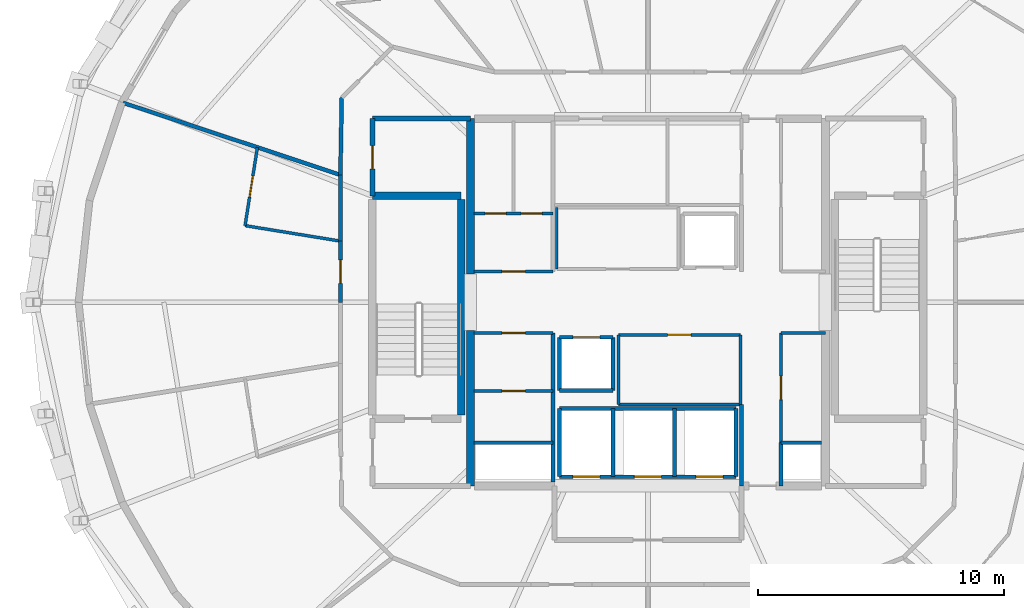
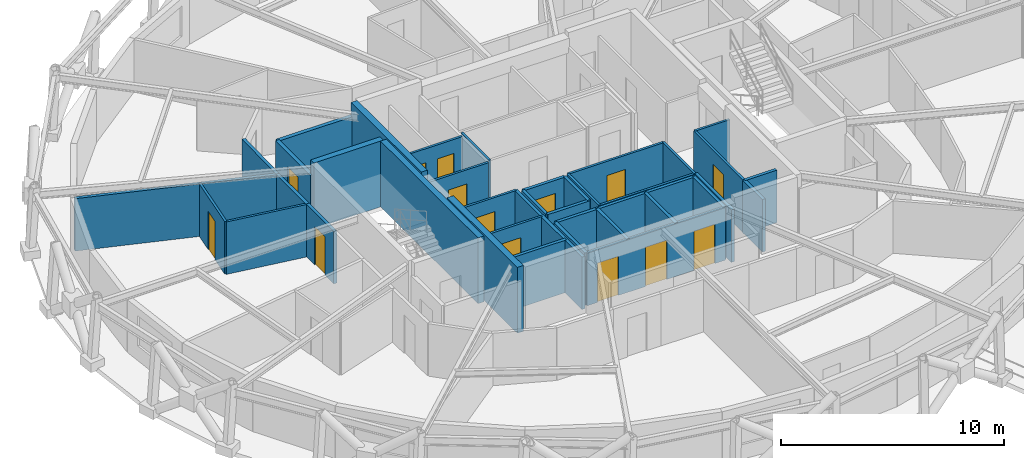
# One storey, part 8 of 12: 38 walls, 14 doors, 14 openings.
"""IFC4 building model written with IfcOpenShell, lengths in metres."""

from ifc_helpers import new_model, si_unit, direction, frame, frame_2d, origin, place, context, subcontext, project, spatial, rectangle, extrude, material, layer, layer_set, type_object, element, fill, save


model = new_model("IFC4")

# Units and contexts
model_context = context("Model", 3, precision=1e-05, world=origin(), true_north=direction((0.0, 1.0)))
body_context = subcontext(model_context, "Body", "Model", "MODEL_VIEW")
ifc_project = project(units=[si_unit("LENGTHUNIT", "METRE"), si_unit("AREAUNIT", "SQUARE_METRE"), si_unit("VOLUMEUNIT", "CUBIC_METRE"), si_unit("PLANEANGLEUNIT", "RADIAN"), si_unit("MASSUNIT", "GRAM", prefix="KILO")], contexts=[model_context])

# Site, building, storey
site_placement = place(None, origin())
site = spatial("IfcSite", under=ifc_project, at=site_placement, CompositionType="ELEMENT")
building_placement = place(site_placement, origin())
building = spatial("IfcBuilding", under=site, at=building_placement, Name="Veldorina Hangang Commons", CompositionType="ELEMENT")
storey_placement = place(building_placement, frame((0.0, 0.0, 222.0)))
storey = spatial("IfcBuildingStorey", under=building, at=storey_placement, Name="L57", CompositionType="ELEMENT", Elevation=222.0)

# Walls
ifc_material_1 = material(Name="Concrete C50/60", Category="concrete")
ifc_layer_1 = layer(ifc_material_1, 0.320068359375)
ifc_layer_set_1 = layer_set([ifc_layer_1], Name="Concrete C50/60")
wall_type_1 = type_object("IfcWallType", Name="CW-RC320-C50", PredefinedType="SHEAR", material=ifc_layer_set_1)
for number, where, z_axis, x_axis, name in (
    (1, (24.800048828125, 16.550048828125, 0.0), (0.0, 0.0, 1.0), (0.0, 1.0, 0.0), "L57 W south core shear wall"),
    (2, (24.800048828125, 25.14990234375, 0.0), (0.0, 0.0, 1.0), (0.0, 1.0, 0.0), "L57 W north core shear wall"),
):
    element("IfcWall", number, at=place(storey_placement, frame(where, z_axis=z_axis, x_axis=x_axis)), inside=storey, type_object=wall_type_1, Name=name, PredefinedType="SHEAR", context=body_context, shape_type="SweptSolid", body=[
        extrude(rectangle(XDim=6.300048828125, YDim=0.320068359375, at=frame_2d((3.14990234375, 0.0))), origin(), (0.0, 0.0, 1.0), 3.60009765625),
    ])
ifc_layer_2 = layer(ifc_material_1, 0.300048828125)
ifc_layer_set_2 = layer_set([ifc_layer_2], Name="Concrete C50/60")
wall_type_2 = type_object("IfcWallType", Name="SW-STAIR-300", PredefinedType="SHEAR", material=ifc_layer_set_2)
wall_1_placement = place(storey_placement, frame((24.419921875, 19.429931640625, 0.0), z_axis=(0.0, 0.0, 1.0), x_axis=(0.0, 1.0, 0.0)))
element("IfcWall", 3, at=wall_1_placement, inside=storey, type_object=wall_type_2, Name="L57 ST1 inner stair shear wall", PredefinedType="SHEAR", context=body_context, shape_type="SweptSolid", body=[
    extrude(rectangle(XDim=8.739990234375, YDim=0.300048828125, at=frame_2d((4.3701171875, 0.0))), origin(), (0.0, 0.0, 1.0), 3.60009765625),
])
wall_2_placement = place(storey_placement, frame((20.820068359375, 28.320068359375, 0.0), z_axis=(0.0, 0.0, 1.0), x_axis=(1.0, 0.0, 0.0)))
element("IfcWall", 4, at=wall_2_placement, inside=storey, type_object=wall_type_2, Name="L57 ST1 north stair shear wall", PredefinedType="SHEAR", context=body_context, shape_type="SweptSolid", body=[
    extrude(rectangle(XDim=3.599853515625, YDim=0.300048828125, at=frame_2d((1.7998046875, 0.0))), origin(), (0.0, 0.0, 1.0), 3.60009765625),
])
ifc_material_2 = material(Name="Gypsum Fire-Rated Twin Stud Wall", Category="gypsum")
ifc_layer_3 = layer(ifc_material_2, 0.159912109375)
ifc_layer_set_3 = layer_set([ifc_layer_3], Name="Gypsum Fire-Rated Twin Stud Wall")
wall_type_3 = type_object("IfcWallType", Name="WL-FIRE-160", PredefinedType="SOLIDWALL", material=ifc_layer_set_3)
wall_3_placement = place(storey_placement, frame((35.800048828125, 16.550048828125, 0.0), z_axis=(0.0, 0.0, 1.0), x_axis=(0.0, 1.0, 0.0)))
element("IfcWall", 5, at=wall_3_placement, inside=storey, type_object=wall_type_3, Name="L57 Lift passage SW wall 009", PredefinedType="SOLIDWALL", context=body_context, shape_type="SweptSolid", body=[
    extrude(rectangle(XDim=3.300048828125, YDim=0.159912109375, at=frame_2d((1.64990234375, 0.0))), origin(), (0.0, 0.0, 1.0), 2.8701171875),
])
wall_4_placement = place(storey_placement, frame((37.39990234375, 16.550048828125, 0.0), z_axis=(0.0, 0.0, 1.0), x_axis=(0.0, 1.0, 0.0)))
element("IfcWall", 6, at=wall_4_placement, inside=storey, type_object=wall_type_3, Name="L57 Lift passage SE stub 010", PredefinedType="SOLIDWALL", context=body_context, shape_type="SweptSolid", body=[
    extrude(rectangle(XDim=1.75, YDim=0.159912109375, at=frame_2d((0.875, 0.0))), origin(), (0.0, 0.0, 1.0), 2.8701171875),
])

# Wall, opening, door
wall_5_placement = place(storey_placement, frame((28.419921875, 22.580078125, 0.0), z_axis=(0.0, 0.0, 1.0), x_axis=(1.0, 0.0, 0.0)))
wall_5 = element("IfcWall", 7, at=wall_5_placement, inside=storey, type_object=wall_type_3, Name="L57 Shuttle-high front shaft wall 019", PredefinedType="SOLIDWALL", context=body_context, shape_type="SweptSolid", body=[
    extrude(rectangle(XDim=2.16015625, YDim=0.159912109375, at=frame_2d((1.080078125, 0.0))), origin(), (0.0, 0.0, 1.0), 2.8701171875),
])
opening_1_placement = place(wall_5_placement, frame((0.530029296875, 0.0, 0.0)))
opening_1 = element("IfcOpeningElement", 8, at=opening_1_placement, cuts=wall_5, Name="Opening LD-01", PredefinedType="OPENING", context=body_context, shape_type="SweptSolid", body=[
    extrude(rectangle(XDim=1.10009765625, YDim=2.14990234375, at=frame_2d((0.550048828125, 1.074951171875))), frame((0.0, 0.08984375, 0.0), z_axis=(0.0, -1.0, 0.0), x_axis=(1.0, 0.0, 0.0)), (0.0, 0.0, 1.0), 0.179931640625),
])
ifc_material_3 = material(Name="Stainless Steel Brushed Lift Door", Category="steel")
door_type_1 = type_object("IfcDoorType", Name="DR-LIFT-1100", OperationType="SLIDING_TO_LEFT", PredefinedType="DOOR", material=ifc_material_3)
door_1_placement = place(opening_1_placement, origin())
door_1 = element("IfcDoor", 9, at=door_1_placement, inside=storey, type_object=door_type_1, Name="L57 Lift PL-H2 landing door 007", OperationType="SLIDING_TO_LEFT", OverallHeight=2.14990234375, OverallWidth=1.10009765625, PredefinedType="DOOR", context=body_context, shape_type="SweptSolid", body=[
    extrude(rectangle(XDim=1.10009765625, YDim=2.14990234375, at=frame_2d((0.550048828125, 1.074951171875))), frame((0.0, 0.02490234375, 0.0), z_axis=(0.0, -1.0, 0.0), x_axis=(1.0, 0.0, 0.0)), (0.0, 0.0, 1.0), 0.050048828125),
])
fill(opening_1, door_1)

# Walls
for number, where, z_axis, x_axis, name in (
    (10, (28.419921875, 20.419921875, 0.0), (0.0, 0.0, 1.0), (1.0, 0.0, 0.0), "L57 Shuttle-high rear shaft wall 020"),
    (11, (28.419921875, 20.419921875, 0.0), (0.0, 0.0, 1.0), (0.0, 1.0, 0.0), "L57 PL-H2 west shaft wall 021"),
    (12, (30.580078125, 20.419921875, 0.0), (0.0, 0.0, 1.0), (0.0, 1.0, 0.0), "L57 PL-H2 east shaft wall 022"),
):
    element("IfcWall", number, at=place(storey_placement, frame(where, z_axis=z_axis, x_axis=x_axis)), inside=storey, type_object=wall_type_3, Name=name, PredefinedType="SOLIDWALL", context=body_context, shape_type="SweptSolid", body=[
        extrude(rectangle(XDim=2.16015625, YDim=0.159912109375, at=frame_2d((1.080078125, 0.0))), origin(), (0.0, 0.0, 1.0), 2.8701171875),
    ])

# Wall, openings, doors
wall_6_placement = place(storey_placement, frame((28.419921875, 16.919921875, 0.0), z_axis=(0.0, 0.0, 1.0), x_axis=(1.0, 0.0, 0.0)))
wall_6 = element("IfcWall", 13, at=wall_6_placement, inside=storey, type_object=wall_type_3, Name="L57 Emergency front shaft wall 023", PredefinedType="SOLIDWALL", context=body_context, shape_type="SweptSolid", body=[
    extrude(rectangle(XDim=7.16015625, YDim=0.159912109375, at=frame_2d((3.580078125, 0.0))), origin(), (0.0, 0.0, 1.0), 2.8701171875),
])
opening_2_placement = place(wall_6_placement, frame((0.530029296875, 0.0, 0.0)))
opening_2 = element("IfcOpeningElement", 14, at=opening_2_placement, cuts=wall_6, Name="Opening LD-03", PredefinedType="OPENING", context=body_context, shape_type="SweptSolid", body=[
    extrude(rectangle(XDim=1.10009765625, YDim=2.14990234375, at=frame_2d((0.550048828125, 1.074951171875))), frame((0.0, 0.08984375, 0.0), z_axis=(0.0, -1.0, 0.0), x_axis=(1.0, 0.0, 0.0)), (0.0, 0.0, 1.0), 0.179931640625),
])
opening_3_placement = place(wall_6_placement, frame((3.030029296875, 0.0, 0.0)))
opening_3 = element("IfcOpeningElement", 15, at=opening_3_placement, cuts=wall_6, Name="Opening LD-03", PredefinedType="OPENING", context=body_context, shape_type="SweptSolid", body=[
    extrude(rectangle(XDim=1.10009765625, YDim=2.14990234375, at=frame_2d((0.550048828125, 1.074951171875))), frame((0.0, 0.08984375, 0.0), z_axis=(0.0, -1.0, 0.0), x_axis=(1.0, 0.0, 0.0)), (0.0, 0.0, 1.0), 0.179931640625),
])
opening_4_placement = place(wall_6_placement, frame((5.530029296875, 0.0, 0.0)))
opening_4 = element("IfcOpeningElement", 16, at=opening_4_placement, cuts=wall_6, Name="Opening LD-03", PredefinedType="OPENING", context=body_context, shape_type="SweptSolid", body=[
    extrude(rectangle(XDim=1.10009765625, YDim=2.14990234375, at=frame_2d((0.550048828125, 1.074951171875))), frame((0.0, 0.08984375, 0.0), z_axis=(0.0, -1.0, 0.0), x_axis=(1.0, 0.0, 0.0)), (0.0, 0.0, 1.0), 0.179931640625),
])
ifc_material_4 = material(Name="Stainless Steel Firefighting Lift Door", Category="steel")
door_type_2 = type_object("IfcDoorType", Name="DR-LIFT-FF1100", OperationType="SLIDING_TO_RIGHT", PredefinedType="DOOR", material=ifc_material_4)
door_2_placement = place(opening_2_placement, origin())
door_2 = element("IfcDoor", 17, at=door_2_placement, inside=storey, type_object=door_type_2, Name="L57 Emergency lift FFL-1 landing door 008", OperationType="SLIDING_TO_RIGHT", OverallHeight=2.14990234375, OverallWidth=1.10009765625, PredefinedType="DOOR", context=body_context, shape_type="SweptSolid", body=[
    extrude(rectangle(XDim=1.10009765625, YDim=2.14990234375, at=frame_2d((0.550048828125, 1.074951171875))), frame((0.0, 0.02490234375, 0.0), z_axis=(0.0, -1.0, 0.0), x_axis=(1.0, 0.0, 0.0)), (0.0, 0.0, 1.0), 0.050048828125),
])
fill(opening_2, door_2)
door_3_placement = place(opening_3_placement, origin())
door_3 = element("IfcDoor", 18, at=door_3_placement, inside=storey, type_object=door_type_2, Name="L57 Emergency lift FFL-2 landing door 009", OperationType="SLIDING_TO_RIGHT", OverallHeight=2.14990234375, OverallWidth=1.10009765625, PredefinedType="DOOR", context=body_context, shape_type="SweptSolid", body=[
    extrude(rectangle(XDim=1.10009765625, YDim=2.14990234375, at=frame_2d((0.550048828125, 1.074951171875))), frame((0.0, 0.02490234375, 0.0), z_axis=(0.0, -1.0, 0.0), x_axis=(1.0, 0.0, 0.0)), (0.0, 0.0, 1.0), 0.050048828125),
])
fill(opening_3, door_3)
door_4_placement = place(opening_4_placement, origin())
door_4 = element("IfcDoor", 19, at=door_4_placement, inside=storey, type_object=door_type_2, Name="L57 Emergency lift EVL-1 landing door 010", OperationType="SLIDING_TO_RIGHT", OverallHeight=2.14990234375, OverallWidth=1.10009765625, PredefinedType="DOOR", context=body_context, shape_type="SweptSolid", body=[
    extrude(rectangle(XDim=1.10009765625, YDim=2.14990234375, at=frame_2d((0.550048828125, 1.074951171875))), frame((0.0, 0.02490234375, 0.0), z_axis=(0.0, -1.0, 0.0), x_axis=(1.0, 0.0, 0.0)), (0.0, 0.0, 1.0), 0.050048828125),
])
fill(opening_4, door_4)

# Walls
wall_7_placement = place(storey_placement, frame((28.419921875, 19.679931640625, 0.0), z_axis=(0.0, 0.0, 1.0), x_axis=(1.0, 0.0, 0.0)))
element("IfcWall", 20, at=wall_7_placement, inside=storey, type_object=wall_type_3, Name="L57 Emergency rear shaft wall 024", PredefinedType="SOLIDWALL", context=body_context, shape_type="SweptSolid", body=[
    extrude(rectangle(XDim=7.16015625, YDim=0.159912109375, at=frame_2d((3.580078125, 0.0))), origin(), (0.0, 0.0, 1.0), 2.8701171875),
])
for number, where, z_axis, x_axis, name in (
    (21, (28.419921875, 16.919921875, 0.0), (0.0, 0.0, 1.0), (0.0, 1.0, 0.0), "L57 FFL-1 west shaft wall 025"),
    (22, (30.580078125, 16.919921875, 0.0), (0.0, 0.0, 1.0), (0.0, 1.0, 0.0), "L57 FFL-1 east shaft wall 026"),
    (23, (33.080078125, 16.919921875, 0.0), (0.0, 0.0, 1.0), (0.0, 1.0, 0.0), "L57 FFL-2 east shaft wall 027"),
    (24, (35.580078125, 16.919921875, 0.0), (0.0, 0.0, 1.0), (0.0, 1.0, 0.0), "L57 EVL-1 east shaft wall 028"),
):
    element("IfcWall", number, at=place(storey_placement, frame(where, z_axis=z_axis, x_axis=x_axis)), inside=storey, type_object=wall_type_3, Name=name, PredefinedType="SOLIDWALL", context=body_context, shape_type="SweptSolid", body=[
        extrude(rectangle(XDim=2.760009765625, YDim=0.159912109375, at=frame_2d((1.3798828125, 0.0))), origin(), (0.0, 0.0, 1.0), 2.8701171875),
    ])
wall_8_placement = place(storey_placement, frame((24.949951171875, 18.300048828125, 0.0), z_axis=(0.0, 0.0, 1.0), x_axis=(1.0, 0.0, 0.0)))
element("IfcWall", 25, at=wall_8_placement, inside=storey, type_object=wall_type_3, Name="L57 Electrical riser wall 041", PredefinedType="SOLIDWALL", context=body_context, shape_type="SweptSolid", body=[
    extrude(rectangle(XDim=3.199951171875, YDim=0.159912109375, at=frame_2d((1.60009765625, 0.0))), origin(), (0.0, 0.0, 1.0), 2.8701171875),
])
wall_9_placement = place(storey_placement, frame((28.14990234375, 16.699951171875, 0.0), z_axis=(0.0, 0.0, 1.0), x_axis=(0.0, 1.0, 0.0)))
element("IfcWall", 26, at=wall_9_placement, inside=storey, type_object=wall_type_3, Name="L57 SW core inner wall 042", PredefinedType="SOLIDWALL", context=body_context, shape_type="SweptSolid", body=[
    extrude(rectangle(XDim=6.050048828125, YDim=0.159912109375, at=frame_2d((3.02490234375, 0.0))), origin(), (0.0, 0.0, 1.0), 2.8701171875),
])
wall_10_placement = place(storey_placement, frame((37.39990234375, 18.300048828125, 0.0), z_axis=(0.0, 0.0, 1.0), x_axis=(1.0, 0.0, 0.0)))
element("IfcWall", 27, at=wall_10_placement, inside=storey, type_object=wall_type_3, Name="L57 Plumbing riser wall 043", PredefinedType="SOLIDWALL", context=body_context, shape_type="SweptSolid", body=[
    extrude(rectangle(XDim=1.650146484375, YDim=0.159912109375, at=frame_2d((0.8251953125, 0.0))), origin(), (0.0, 0.0, 1.0), 2.8701171875),
])
wall_11_placement = place(storey_placement, frame((19.5732421875, 32.30322265625, 0.0), z_axis=(0.0, 0.0, 1.0), x_axis=(-0.016981035134, -0.999855811828, 0.0)))
element("IfcWall", 28, at=wall_11_placement, inside=storey, type_object=wall_type_3, Name="L57 Compact collar outer wall 13 067", PredefinedType="SOLIDWALL", context=body_context, shape_type="SweptSolid", body=[
    extrude(rectangle(XDim=3.13427734375, YDim=0.159912109375, at=frame_2d((1.567138671875, 0.0))), origin(), (0.0, 0.0, 1.0), 2.8701171875),
])
wall_12_placement = place(storey_placement, frame((19.52001953125, 29.16943359375, 0.0), z_axis=(0.0, 0.0, 1.0), x_axis=(0.0, -1.0, 0.0)))
element("IfcWall", 29, at=wall_12_placement, inside=storey, type_object=wall_type_3, Name="L57 Compact collar outer wall 14 068", PredefinedType="SOLIDWALL", context=body_context, shape_type="SweptSolid", body=[
    extrude(rectangle(XDim=2.68701171875, YDim=0.159912109375, at=frame_2d((1.343505859375, 0.0))), origin(), (0.0, 0.0, 1.0), 2.8701171875),
])

# Wall, opening, door
wall_13_placement = place(storey_placement, frame((19.52001953125, 26.482421875, 0.0), z_axis=(0.0, 0.0, 1.0), x_axis=(0.0, -1.0, 0.0)))
wall_13 = element("IfcWall", 30, at=wall_13_placement, inside=storey, type_object=wall_type_3, Name="L57 Compact collar outer wall 15 069", PredefinedType="SOLIDWALL", context=body_context, shape_type="SweptSolid", body=[
    extrude(rectangle(XDim=2.482421875, YDim=0.159912109375, at=frame_2d((1.2412109375, 0.0))), origin(), (0.0, 0.0, 1.0), 2.8701171875),
])
opening_5_placement = place(wall_13_placement, frame((0.76611328125, 0.0, 0.0)))
opening_5 = element("IfcOpeningElement", 31, at=opening_5_placement, cuts=wall_13, Name="Opening D-03", PredefinedType="OPENING", context=body_context, shape_type="SweptSolid", body=[
    extrude(rectangle(XDim=0.949951171875, YDim=2.10009765625, at=frame_2d((0.47509765625, 1.050048828125))), frame((0.0, 0.08984375, 0.0), z_axis=(0.0, -1.0, 0.0), x_axis=(1.0, 0.0, 0.0)), (0.0, 0.0, 1.0), 0.179931640625),
])
ifc_material_5 = material(Name="Timber Fire-Rated Entrance Core", Category="wood")
door_type_3 = type_object("IfcDoorType", Name="DR-UNIT-950", OperationType="SINGLE_SWING_RIGHT", PredefinedType="DOOR", material=ifc_material_5)
door_5_placement = place(opening_5_placement, origin())
door_5 = element("IfcDoor", 32, at=door_5_placement, inside=storey, type_object=door_type_3, Name="L57 Studio 6 entrance door 037", OperationType="SINGLE_SWING_LEFT", OverallHeight=2.10009765625, OverallWidth=0.949951171875, PredefinedType="DOOR", context=body_context, shape_type="SweptSolid", body=[
    extrude(rectangle(XDim=0.949951171875, YDim=2.10009765625, at=frame_2d((0.47509765625, 1.050048828125))), frame((0.0, 0.02490234375, 0.0), z_axis=(0.0, -1.0, 0.0), x_axis=(1.0, 0.0, 0.0)), (0.0, 0.0, 1.0), 0.050048828125),
])
fill(opening_5, door_5)

# Wall
wall_14_placement = place(storey_placement, frame((19.52001953125, 29.16943359375, 0.0), z_axis=(0.0, 0.0, 1.0), x_axis=(-0.949134247943, 0.314871687171, 0.0)))
element("IfcWall", 33, at=wall_14_placement, inside=storey, type_object=wall_type_3, Name="L57 Unit party wall 14 110", PredefinedType="SOLIDWALL", context=body_context, shape_type="SweptSolid", body=[
    extrude(rectangle(XDim=9.2919921875, YDim=0.159912109375, at=frame_2d((4.64599609375, 0.0))), origin(), (0.0, 0.0, 1.0), 2.8701171875),
])

# Wall, opening, door
ifc_material_6 = material(Name="Concrete Blockwork Fire Wall C30/37", Category="masonry")
ifc_layer_4 = layer(ifc_material_6, 0.199951171875)
ifc_layer_set_4 = layer_set([ifc_layer_4], Name="Concrete Blockwork Fire Wall C30/37")
wall_type_4 = type_object("IfcWallType", Name="WL-FIRE-200", PredefinedType="SOLIDWALL", material=ifc_layer_set_4)
wall_15_placement = place(storey_placement, frame((20.820068359375, 28.320068359375, 0.0), z_axis=(0.0, 0.0, 1.0), x_axis=(0.0, 1.0, 0.0)))
wall_15 = element("IfcWall", 34, at=wall_15_placement, inside=storey, type_object=wall_type_4, Name="L57 NW core room outer wall 005", PredefinedType="SOLIDWALL", context=body_context, shape_type="SweptSolid", body=[
    extrude(rectangle(XDim=3.1298828125, YDim=0.199951171875, at=frame_2d((1.56494140625, 0.0))), origin(), (0.0, 0.0, 1.0), 2.8701171875),
])
opening_6_placement = place(wall_15_placement, frame((1.090087890625, 0.0, 0.0)))
opening_6 = element("IfcOpeningElement", 35, at=opening_6_placement, cuts=wall_15, Name="Opening D-04", PredefinedType="OPENING", context=body_context, shape_type="SweptSolid", body=[
    extrude(rectangle(XDim=0.949951171875, YDim=2.10009765625, at=frame_2d((0.47509765625, 1.050048828125))), frame((0.0, 0.10986328125, 0.0), z_axis=(0.0, -1.0, 0.0), x_axis=(1.0, 0.0, 0.0)), (0.0, 0.0, 1.0), 0.219970703125),
])
ifc_material_7 = material(Name="Timber Accessible Flush Leaf", Category="wood")
door_type_4 = type_object("IfcDoorType", Name="DR-ACC-950", OperationType="SINGLE_SWING_LEFT", PredefinedType="DOOR", material=ifc_material_7)
door_6_placement = place(opening_6_placement, origin())
door_6 = element("IfcDoor", 36, at=door_6_placement, inside=storey, type_object=door_type_4, Name="L57 NW core WC door 003", OperationType="SINGLE_SWING_LEFT", OverallHeight=2.10009765625, OverallWidth=0.949951171875, PredefinedType="DOOR", context=body_context, shape_type="SweptSolid", body=[
    extrude(rectangle(XDim=0.949951171875, YDim=2.10009765625, at=frame_2d((0.47509765625, 1.050048828125))), frame((0.0, 0.02490234375, 0.0), z_axis=(0.0, -1.0, 0.0), x_axis=(1.0, 0.0, 0.0)), (0.0, 0.0, 1.0), 0.050048828125),
])
fill(opening_6, door_6)

# Walls
wall_16_placement = place(storey_placement, frame((20.820068359375, 31.449951171875, 0.0), z_axis=(0.0, 0.0, 1.0), x_axis=(1.0, 0.0, 0.0)))
element("IfcWall", 37, at=wall_16_placement, inside=storey, type_object=wall_type_4, Name="L57 NW core room north wall 006", PredefinedType="SOLIDWALL", context=body_context, shape_type="SweptSolid", body=[
    extrude(rectangle(XDim=3.97998046875, YDim=0.199951171875, at=frame_2d((1.989990234375, 0.0))), origin(), (0.0, 0.0, 1.0), 2.8701171875),
])
ifc_material_8 = material(Name="Gypsum Acoustic Stud Partition", Category="gypsum")
ifc_layer_5 = layer(ifc_material_8, 0.1201171875)
ifc_layer_set_5 = layer_set([ifc_layer_5], Name="Gypsum Acoustic Stud Partition")
wall_type_5 = type_object("IfcWallType", Name="WL-PART-120", PredefinedType="PARTITIONING", material=ifc_layer_set_5)
wall_17_placement = place(storey_placement, frame((28.300048828125, 25.35009765625, 0.0), z_axis=(0.0, 0.0, 1.0), x_axis=(0.0, 1.0, 0.0)))
element("IfcWall", 38, at=wall_17_placement, inside=storey, type_object=wall_type_5, Name="L57 Merged mid-bank west wall 035", PredefinedType="PARTITIONING", context=body_context, shape_type="SweptSolid", body=[
    extrude(rectangle(XDim=2.5, YDim=0.1201171875, at=frame_2d((1.25, 0.0))), origin(), (0.0, 0.0, 1.0), 2.8701171875),
])

# Wall, opening, door
wall_18_placement = place(storey_placement, frame((30.800048828125, 22.679931640625, 0.0), z_axis=(0.0, 0.0, 1.0), x_axis=(1.0, 0.0, 0.0)))
wall_18 = element("IfcWall", 39, at=wall_18_placement, inside=storey, type_object=wall_type_5, Name="L57 Merged shuttle north wall 037", PredefinedType="PARTITIONING", context=body_context, shape_type="SweptSolid", body=[
    extrude(rectangle(XDim=4.949951171875, YDim=0.1201171875, at=frame_2d((2.47509765625, 0.0))), origin(), (0.0, 0.0, 1.0), 2.8701171875),
])
opening_7_placement = place(wall_18_placement, frame((2.0, 0.0, 0.0)))
opening_7 = element("IfcOpeningElement", 40, at=opening_7_placement, cuts=wall_18, Name="Opening D-02", PredefinedType="OPENING", context=body_context, shape_type="SweptSolid", body=[
    extrude(rectangle(XDim=0.949951171875, YDim=2.10009765625, at=frame_2d((0.47509765625, 1.050048828125))), frame((0.0, 0.070068359375, 0.0), z_axis=(0.0, -1.0, 0.0), x_axis=(1.0, 0.0, 0.0)), (0.0, 0.0, 1.0), 0.14013671875),
])
ifc_material_9 = material(Name="Timber Solid Core Acoustic", Category="wood")
door_type_5 = type_object("IfcDoorType", Name="DR-INT-950", OperationType="SINGLE_SWING_LEFT", PredefinedType="DOOR", material=ifc_material_9)
door_7_placement = place(opening_7_placement, origin())
door_7 = element("IfcDoor", 41, at=door_7_placement, inside=storey, type_object=door_type_5, Name="L57 Floor tea pantry door 014", OperationType="SINGLE_SWING_RIGHT", OverallHeight=2.10009765625, OverallWidth=0.949951171875, PredefinedType="DOOR", context=body_context, shape_type="SweptSolid", body=[
    extrude(rectangle(XDim=0.949951171875, YDim=2.10009765625, at=frame_2d((0.47509765625, 1.050048828125))), frame((0.0, 0.02490234375, 0.0), z_axis=(0.0, -1.0, 0.0), x_axis=(1.0, 0.0, 0.0)), (0.0, 0.0, 1.0), 0.050048828125),
])
fill(opening_7, door_7)

# Walls
wall_19_placement = place(storey_placement, frame((30.800048828125, 19.85009765625, 0.0), z_axis=(0.0, 0.0, 1.0), x_axis=(1.0, 0.0, 0.0)))
element("IfcWall", 42, at=wall_19_placement, inside=storey, type_object=wall_type_5, Name="L57 Merged shuttle south wall 038", PredefinedType="PARTITIONING", context=body_context, shape_type="SweptSolid", body=[
    extrude(rectangle(XDim=4.949951171875, YDim=0.1201171875, at=frame_2d((2.47509765625, 0.0))), origin(), (0.0, 0.0, 1.0), 2.8701171875),
])
for number, where, z_axis, x_axis, name in (
    (43, (30.800048828125, 19.85009765625, 0.0), (0.0, 0.0, 1.0), (0.0, 1.0, 0.0), "L57 Merged shuttle west wall 039"),
    (44, (35.75, 19.85009765625, 0.0), (0.0, 0.0, 1.0), (0.0, 1.0, 0.0), "L57 Merged shuttle east wall 040"),
):
    element("IfcWall", number, at=place(storey_placement, frame(where, z_axis=z_axis, x_axis=x_axis)), inside=storey, type_object=wall_type_5, Name=name, PredefinedType="PARTITIONING", context=body_context, shape_type="SweptSolid", body=[
        extrude(rectangle(XDim=2.829833984375, YDim=0.1201171875, at=frame_2d((1.4150390625, 0.0))), origin(), (0.0, 0.0, 1.0), 2.8701171875),
    ])

# Wall, opening, door
wall_20_placement = place(storey_placement, frame((24.949951171875, 25.25, 0.0), z_axis=(0.0, 0.0, 1.0), x_axis=(1.0, 0.0, 0.0)))
wall_20 = element("IfcWall", 45, at=wall_20_placement, inside=storey, type_object=wall_type_5, Name="L57 NW service south wall 045", PredefinedType="PARTITIONING", context=body_context, shape_type="SweptSolid", body=[
    extrude(rectangle(XDim=3.199951171875, YDim=0.1201171875, at=frame_2d((1.60009765625, 0.0))), origin(), (0.0, 0.0, 1.0), 2.8701171875),
])
opening_8_placement = place(wall_20_placement, frame((1.125, 0.0, 0.0)))
opening_8 = element("IfcOpeningElement", 46, at=opening_8_placement, cuts=wall_20, Name="Opening D-02", PredefinedType="OPENING", context=body_context, shape_type="SweptSolid", body=[
    extrude(rectangle(XDim=0.949951171875, YDim=2.10009765625, at=frame_2d((0.47509765625, 1.050048828125))), frame((0.0, 0.070068359375, 0.0), z_axis=(0.0, -1.0, 0.0), x_axis=(1.0, 0.0, 0.0)), (0.0, 0.0, 1.0), 0.14013671875),
])
door_8_placement = place(opening_8_placement, origin())
door_8 = element("IfcDoor", 47, at=door_8_placement, inside=storey, type_object=door_type_5, Name="L57 Utility vestibule door 015", OperationType="SINGLE_SWING_LEFT", OverallHeight=2.10009765625, OverallWidth=0.949951171875, PredefinedType="DOOR", context=body_context, shape_type="SweptSolid", body=[
    extrude(rectangle(XDim=0.949951171875, YDim=2.10009765625, at=frame_2d((0.47509765625, 1.050048828125))), frame((0.0, 0.02490234375, 0.0), z_axis=(0.0, -1.0, 0.0), x_axis=(1.0, 0.0, 0.0)), (0.0, 0.0, 1.0), 0.050048828125),
])
fill(opening_8, door_8)

wall_21_placement = place(storey_placement, frame((24.949951171875, 22.75, 0.0), z_axis=(0.0, 0.0, 1.0), x_axis=(1.0, 0.0, 0.0)))
wall_21 = element("IfcWall", 48, at=wall_21_placement, inside=storey, type_object=wall_type_5, Name="L57 SW service north wall 046", PredefinedType="PARTITIONING", context=body_context, shape_type="SweptSolid", body=[
    extrude(rectangle(XDim=3.199951171875, YDim=0.1201171875, at=frame_2d((1.60009765625, 0.0))), origin(), (0.0, 0.0, 1.0), 2.8701171875),
])
opening_9_placement = place(wall_21_placement, frame((1.125, 0.0, 0.0)))
opening_9 = element("IfcOpeningElement", 49, at=opening_9_placement, cuts=wall_21, Name="Opening D-02", PredefinedType="OPENING", context=body_context, shape_type="SweptSolid", body=[
    extrude(rectangle(XDim=0.949951171875, YDim=2.10009765625, at=frame_2d((0.47509765625, 1.050048828125))), frame((0.0, 0.070068359375, 0.0), z_axis=(0.0, -1.0, 0.0), x_axis=(1.0, 0.0, 0.0)), (0.0, 0.0, 1.0), 0.14013671875),
])
door_9_placement = place(opening_9_placement, origin())
door_9 = element("IfcDoor", 50, at=door_9_placement, inside=storey, type_object=door_type_5, Name="L57 Recycling room door 018", OperationType="SINGLE_SWING_RIGHT", OverallHeight=2.10009765625, OverallWidth=0.949951171875, PredefinedType="DOOR", context=body_context, shape_type="SweptSolid", body=[
    extrude(rectangle(XDim=0.949951171875, YDim=2.10009765625, at=frame_2d((0.47509765625, 1.050048828125))), frame((0.0, 0.02490234375, 0.0), z_axis=(0.0, -1.0, 0.0), x_axis=(1.0, 0.0, 0.0)), (0.0, 0.0, 1.0), 0.050048828125),
])
fill(opening_9, door_9)

wall_22_placement = place(storey_placement, frame((37.39990234375, 18.300048828125, 0.0), z_axis=(0.0, 0.0, 1.0), x_axis=(0.0, 1.0, 0.0)))
wall_22 = element("IfcWall", 51, at=wall_22_placement, inside=storey, type_object=wall_type_5, Name="L57 SE strip lobby wall 049", PredefinedType="PARTITIONING", context=body_context, shape_type="SweptSolid", body=[
    extrude(rectangle(XDim=4.449951171875, YDim=0.1201171875, at=frame_2d((2.22509765625, 0.0))), origin(), (0.0, 0.0, 1.0), 2.8701171875),
])
opening_10_placement = place(wall_22_placement, frame((1.75, 0.0, 0.0)))
opening_10 = element("IfcOpeningElement", 52, at=opening_10_placement, cuts=wall_22, Name="Opening D-02", PredefinedType="OPENING", context=body_context, shape_type="SweptSolid", body=[
    extrude(rectangle(XDim=0.949951171875, YDim=2.10009765625, at=frame_2d((0.47509765625, 1.050048828125))), frame((0.0, 0.070068359375, 0.0), z_axis=(0.0, -1.0, 0.0), x_axis=(1.0, 0.0, 0.0)), (0.0, 0.0, 1.0), 0.14013671875),
])
door_10_placement = place(opening_10_placement, origin())
door_10 = element("IfcDoor", 53, at=door_10_placement, inside=storey, type_object=door_type_5, Name="L57 Telemetry door 021", OperationType="SINGLE_SWING_LEFT", OverallHeight=2.10009765625, OverallWidth=0.949951171875, PredefinedType="DOOR", context=body_context, shape_type="SweptSolid", body=[
    extrude(rectangle(XDim=0.949951171875, YDim=2.10009765625, at=frame_2d((0.47509765625, 1.050048828125))), frame((0.0, 0.02490234375, 0.0), z_axis=(0.0, -1.0, 0.0), x_axis=(1.0, 0.0, 0.0)), (0.0, 0.0, 1.0), 0.050048828125),
])
fill(opening_10, door_10)

# Wall
wall_23_placement = place(storey_placement, frame((37.39990234375, 22.75, 0.0), z_axis=(0.0, 0.0, 1.0), x_axis=(1.0, 0.0, 0.0)))
element("IfcWall", 54, at=wall_23_placement, inside=storey, type_object=wall_type_5, Name="L57 SE strip north return wall 050", PredefinedType="PARTITIONING", context=body_context, shape_type="SweptSolid", body=[
    extrude(rectangle(XDim=1.800048828125, YDim=0.1201171875, at=frame_2d((0.89990234375, 0.0))), origin(), (0.0, 0.0, 1.0), 2.8701171875),
])

# Wall, openings, doors
wall_24_placement = place(storey_placement, frame((24.949951171875, 27.60009765625, 0.0), z_axis=(0.0, 0.0, 1.0), x_axis=(1.0, 0.0, 0.0)))
wall_24 = element("IfcWall", 55, at=wall_24_placement, inside=storey, type_object=wall_type_5, Name="L57 NW lower split 051", PredefinedType="PARTITIONING", context=body_context, shape_type="SweptSolid", body=[
    extrude(rectangle(XDim=3.199951171875, YDim=0.1201171875, at=frame_2d((1.60009765625, 0.0))), origin(), (0.0, 0.0, 1.0), 2.8701171875),
])
opening_11_placement = place(wall_24_placement, frame((0.43994140625, 0.0, 0.0)))
opening_11 = element("IfcOpeningElement", 56, at=opening_11_placement, cuts=wall_24, Name="Opening D-01", PredefinedType="OPENING", context=body_context, shape_type="SweptSolid", body=[
    extrude(rectangle(XDim=0.860107421875, YDim=2.10009765625, at=frame_2d((0.43017578125, 1.050048828125))), frame((0.0, 0.070068359375, 0.0), z_axis=(0.0, -1.0, 0.0), x_axis=(1.0, 0.0, 0.0)), (0.0, 0.0, 1.0), 0.14013671875),
])
opening_12_placement = place(wall_24_placement, frame((1.89990234375, 0.0, 0.0)))
opening_12 = element("IfcOpeningElement", 57, at=opening_12_placement, cuts=wall_24, Name="Opening D-01", PredefinedType="OPENING", context=body_context, shape_type="SweptSolid", body=[
    extrude(rectangle(XDim=0.860107421875, YDim=2.10009765625, at=frame_2d((0.43017578125, 1.050048828125))), frame((0.0, 0.070068359375, 0.0), z_axis=(0.0, -1.0, 0.0), x_axis=(1.0, 0.0, 0.0)), (0.0, 0.0, 1.0), 0.14013671875),
])
ifc_material_10 = material(Name="Timber Moisture-Resistant Core", Category="wood")
door_type_6 = type_object("IfcDoorType", Name="DR-WET-860", OperationType="SINGLE_SWING_LEFT", PredefinedType="DOOR", material=ifc_material_10)
door_11_placement = place(opening_11_placement, origin())
door_11 = element("IfcDoor", 58, at=door_11_placement, inside=storey, type_object=door_type_6, Name="L57 Store A door 016", OperationType="SINGLE_SWING_RIGHT", OverallHeight=2.10009765625, OverallWidth=0.860107421875, PredefinedType="DOOR", context=body_context, shape_type="SweptSolid", body=[
    extrude(rectangle(XDim=0.860107421875, YDim=2.10009765625, at=frame_2d((0.43017578125, 1.050048828125))), frame((0.0, 0.02490234375, 0.0), z_axis=(0.0, -1.0, 0.0), x_axis=(1.0, 0.0, 0.0)), (0.0, 0.0, 1.0), 0.050048828125),
])
fill(opening_11, door_11)
door_12_placement = place(opening_12_placement, origin())
door_12 = element("IfcDoor", 59, at=door_12_placement, inside=storey, type_object=door_type_6, Name="L57 Store B door 017", OperationType="SINGLE_SWING_LEFT", OverallHeight=2.10009765625, OverallWidth=0.860107421875, PredefinedType="DOOR", context=body_context, shape_type="SweptSolid", body=[
    extrude(rectangle(XDim=0.860107421875, YDim=2.10009765625, at=frame_2d((0.43017578125, 1.050048828125))), frame((0.0, 0.02490234375, 0.0), z_axis=(0.0, -1.0, 0.0), x_axis=(1.0, 0.0, 0.0)), (0.0, 0.0, 1.0), 0.050048828125),
])
fill(opening_12, door_12)

# Wall, opening, door
wall_25_placement = place(storey_placement, frame((24.949951171875, 20.39990234375, 0.0), z_axis=(0.0, 0.0, 1.0), x_axis=(1.0, 0.0, 0.0)))
wall_25 = element("IfcWall", 60, at=wall_25_placement, inside=storey, type_object=wall_type_5, Name="L57 SW horizontal split 053", PredefinedType="PARTITIONING", context=body_context, shape_type="SweptSolid", body=[
    extrude(rectangle(XDim=3.199951171875, YDim=0.1201171875, at=frame_2d((1.60009765625, 0.0))), origin(), (0.0, 0.0, 1.0), 2.8701171875),
])
opening_13_placement = place(wall_25_placement, frame((1.125, 0.0, 0.0)))
opening_13 = element("IfcOpeningElement", 61, at=opening_13_placement, cuts=wall_25, Name="Opening D-02", PredefinedType="OPENING", context=body_context, shape_type="SweptSolid", body=[
    extrude(rectangle(XDim=0.949951171875, YDim=2.10009765625, at=frame_2d((0.47509765625, 1.050048828125))), frame((0.0, 0.070068359375, 0.0), z_axis=(0.0, -1.0, 0.0), x_axis=(1.0, 0.0, 0.0)), (0.0, 0.0, 1.0), 0.14013671875),
])
door_13_placement = place(opening_13_placement, origin())
door_13 = element("IfcDoor", 62, at=door_13_placement, inside=storey, type_object=door_type_5, Name="L57 Archive closet door 019", OperationType="SINGLE_SWING_LEFT", OverallHeight=2.10009765625, OverallWidth=0.949951171875, PredefinedType="DOOR", context=body_context, shape_type="SweptSolid", body=[
    extrude(rectangle(XDim=0.949951171875, YDim=2.10009765625, at=frame_2d((0.47509765625, 1.050048828125))), frame((0.0, 0.02490234375, 0.0), z_axis=(0.0, -1.0, 0.0), x_axis=(1.0, 0.0, 0.0)), (0.0, 0.0, 1.0), 0.050048828125),
])
fill(opening_13, door_13)

wall_26_placement = place(storey_placement, frame((16.150634765625, 30.287109375, 0.0), z_axis=(0.0, 0.0, 1.0), x_axis=(-0.15540506101, -0.987850832369, 0.0)))
wall_26 = element("IfcWall", 63, at=wall_26_placement, inside=storey, type_object=wall_type_5, Name="L57 Studio 6 bath front wall 111", PredefinedType="PARTITIONING", context=body_context, shape_type="SweptSolid", body=[
    extrude(rectangle(XDim=3.2158203125, YDim=0.1201171875, at=frame_2d((1.60791015625, 0.0))), origin(), (0.0, 0.0, 1.0), 2.8701171875),
])
opening_14_placement = place(wall_26_placement, frame((1.177978515625, 0.0, 0.0)))
opening_14 = element("IfcOpeningElement", 64, at=opening_14_placement, cuts=wall_26, Name="Opening D-01", PredefinedType="OPENING", context=body_context, shape_type="SweptSolid", body=[
    extrude(rectangle(XDim=0.860107421875, YDim=2.10009765625, at=frame_2d((0.43017578125, 1.050048828125))), frame((0.0, 0.070068359375, 0.0), z_axis=(0.0, -1.0, 0.0), x_axis=(1.0, 0.0, 0.0)), (0.0, 0.0, 1.0), 0.14013671875),
])
door_14_placement = place(opening_14_placement, origin())
door_14 = element("IfcDoor", 65, at=door_14_placement, inside=storey, type_object=door_type_6, Name="L57 Studio 6 bathroom door 036", OperationType="SINGLE_SWING_RIGHT", OverallHeight=2.10009765625, OverallWidth=0.860107421875, PredefinedType="DOOR", context=body_context, shape_type="SweptSolid", body=[
    extrude(rectangle(XDim=0.860107421875, YDim=2.10009765625, at=frame_2d((0.43017578125, 1.050048828125))), frame((0.0, 0.02490234375, 0.0), z_axis=(0.0, -1.0, 0.0), x_axis=(1.0, 0.0, 0.0)), (0.0, 0.0, 1.0), 0.050048828125),
])
fill(opening_14, door_14)

# Wall
wall_27_placement = place(storey_placement, frame((19.52001953125, 26.482421875, 0.0), z_axis=(0.0, 0.0, 1.0), x_axis=(-0.98708525511, 0.160195815001, 0.0)))
element("IfcWall", 66, at=wall_27_placement, inside=storey, type_object=wall_type_5, Name="L57 Studio 6 bath side wall 112", PredefinedType="PARTITIONING", context=body_context, shape_type="SweptSolid", body=[
    extrude(rectangle(XDim=3.919677734375, YDim=0.1201171875, at=frame_2d((1.9599609375, 0.0))), origin(), (0.0, 0.0, 1.0), 2.8701171875),
])

save(model, "model.ifc")
